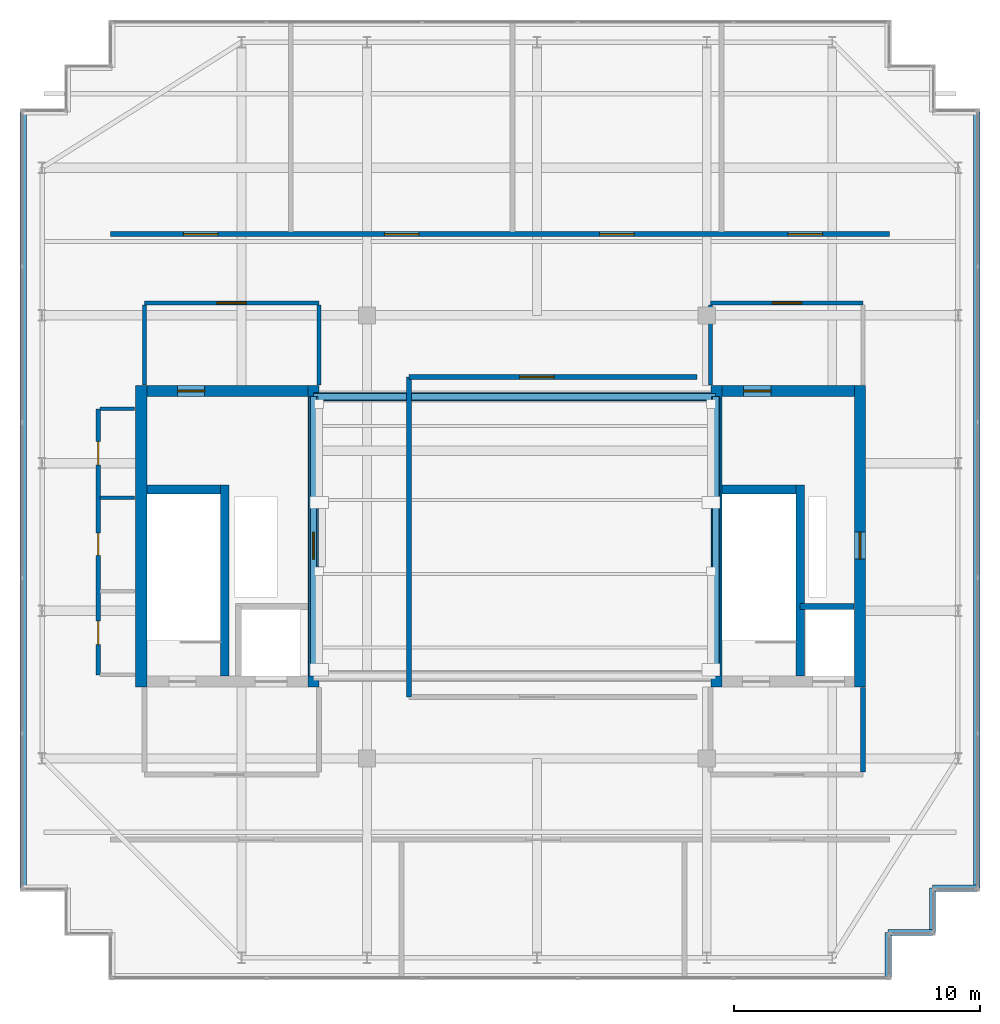
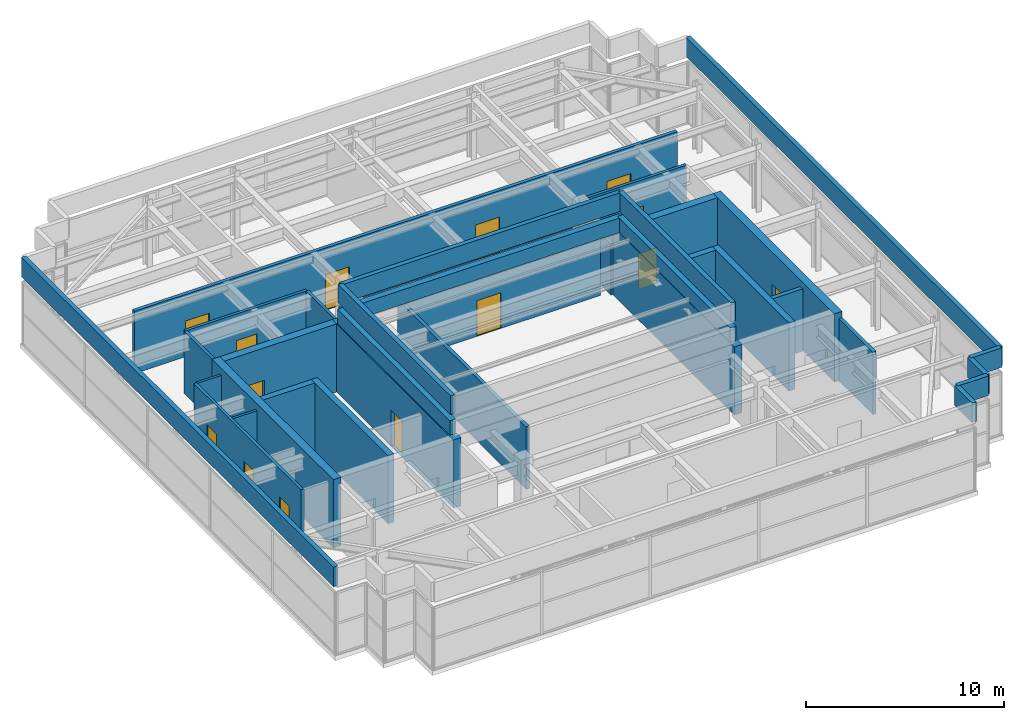
# One storey, part 31 of 33: 35 walls, 14 doors, 14 openings.
"""IFC4 building model written with IfcOpenShell, lengths in metres."""

from ifc_helpers import new_model, si_unit, direction, frame, frame_2d, origin, place, context, subcontext, project, spatial, rectangle, extrude, source, transform, mapped, material, layer, layer_set, type_object, element, fill, save


model = new_model("IFC4")

# Units and contexts
model_context = context("Model", 3, precision=1e-05, world=origin(), true_north=direction((0.0, 1.0)))
body_context = subcontext(model_context, "Body", "Model", "MODEL_VIEW")
ifc_project = project(units=[si_unit("LENGTHUNIT", "METRE"), si_unit("AREAUNIT", "SQUARE_METRE"), si_unit("VOLUMEUNIT", "CUBIC_METRE"), si_unit("PLANEANGLEUNIT", "RADIAN"), si_unit("MASSUNIT", "GRAM", prefix="KILO")], contexts=[model_context])

# Site, building, storey
site_placement = place(None, origin())
site = spatial("IfcSite", under=ifc_project, at=site_placement, CompositionType="ELEMENT")
building_placement = place(site_placement, origin())
building = spatial("IfcBuilding", under=site, at=building_placement, Name="Khoralis Quay Care Tower", CompositionType="ELEMENT")
storey_placement = place(building_placement, frame((0.0, 0.0, 314.699951171875)))
storey = spatial("IfcBuildingStorey", under=building, at=storey_placement, Name="L82", CompositionType="ELEMENT", Elevation=314.699951171875)

# Wall
ifc_material_1 = material(Name="Gypsum plasterboard on acoustic metal stud")
ifc_layer_1 = layer(ifc_material_1, 0.199951171875)
ifc_layer_set_1 = layer_set([ifc_layer_1], Name="Gypsum plasterboard on acoustic metal stud")
wall_type_1 = type_object("IfcWallType", Name="WL-COMP-200", PredefinedType="PARTITIONING", material=ifc_layer_set_1)
wall_1_placement = place(storey_placement, frame((37.25, 11.445068359375, 0.0), z_axis=(0.0, 0.0, 1.0), x_axis=(0.0, 1.0, 0.0)))
element("IfcWall", 1, at=wall_1_placement, inside=storey, type_object=wall_type_1, Name="L82 East Firefighting Lobby East Wall", PredefinedType="PARTITIONING", context=body_context, shape_type="SweptSolid", body=[
    extrude(rectangle(XDim=3.434814453125, YDim=0.199951171875, at=frame_2d((1.71728515625, 0.0))), origin(), (0.0, 0.0, 1.0), 3.840087890625),
])

# Wall, openings, doors
wall_2_placement = place(storey_placement, frame((6.679931640625, 33.300048828125, 0.0), z_axis=(0.0, 0.0, 1.0), x_axis=(1.0, 0.0, 0.0)))
wall_2 = element("IfcWall", 2, at=wall_2_placement, inside=storey, type_object=wall_type_1, Name="L82 Plant Corridor North Wall", PredefinedType="PARTITIONING", context=body_context, shape_type="SweptSolid", body=[
    extrude(rectangle(XDim=31.64013671875, YDim=0.199951171875, at=frame_2d((15.820068359375, 0.0))), origin(), (0.0, 0.0, 1.0), 3.840087890625),
])
opening_1_placement = place(wall_2_placement, frame((2.9599609375, 0.0, 0.0)))
opening_1 = element("IfcOpeningElement", 3, at=opening_1_placement, cuts=wall_2, Name="Opening PD1", PredefinedType="OPENING", context=body_context, shape_type="SweptSolid", body=[
    extrude(rectangle(XDim=1.39990234375, YDim=2.199951171875, at=frame_2d((0.699951171875, 1.10009765625))), frame((0.0, 0.10986328125, 0.0), z_axis=(0.0, -1.0, 0.0), x_axis=(1.0, 0.0, 0.0)), (0.0, 0.0, 1.0), 0.219970703125),
])
opening_2_placement = place(wall_2_placement, frame((11.1201171875, 0.0, 0.0)))
opening_2 = element("IfcOpeningElement", 4, at=opening_2_placement, cuts=wall_2, Name="Opening PD1", PredefinedType="OPENING", context=body_context, shape_type="SweptSolid", body=[
    extrude(rectangle(XDim=1.39990234375, YDim=2.199951171875, at=frame_2d((0.699951171875, 1.10009765625))), frame((0.0, 0.10986328125, 0.0), z_axis=(0.0, -1.0, 0.0), x_axis=(1.0, 0.0, 0.0)), (0.0, 0.0, 1.0), 0.219970703125),
])
opening_3_placement = place(wall_2_placement, frame((19.8701171875, 0.0, 0.0)))
opening_3 = element("IfcOpeningElement", 5, at=opening_3_placement, cuts=wall_2, Name="Opening PD1", PredefinedType="OPENING", context=body_context, shape_type="SweptSolid", body=[
    extrude(rectangle(XDim=1.39990234375, YDim=2.199951171875, at=frame_2d((0.699951171875, 1.10009765625))), frame((0.0, 0.10986328125, 0.0), z_axis=(0.0, -1.0, 0.0), x_axis=(1.0, 0.0, 0.0)), (0.0, 0.0, 1.0), 0.219970703125),
])
opening_4_placement = place(wall_2_placement, frame((27.530029296875, 0.0, 0.0)))
opening_4 = element("IfcOpeningElement", 6, at=opening_4_placement, cuts=wall_2, Name="Opening PD1", PredefinedType="OPENING", context=body_context, shape_type="SweptSolid", body=[
    extrude(rectangle(XDim=1.39990234375, YDim=2.199951171875, at=frame_2d((0.699951171875, 1.10009765625))), frame((0.0, 0.10986328125, 0.0), z_axis=(0.0, -1.0, 0.0), x_axis=(1.0, 0.0, 0.0)), (0.0, 0.0, 1.0), 0.219970703125),
])
ifc_material_2 = material(Name="Fire-rated painted steel", Category="steel")
door_type_1 = type_object("IfcDoorType", Name="DR-PLANT-1400X2200", OperationType="NOTDEFINED", PredefinedType="DOOR", material=ifc_material_2)
shared_shape_1 = source(origin(), body_context, "Body", "SweptSolid", [
    extrude(rectangle(XDim=1.39990234375, YDim=2.199951171875, at=frame_2d((0.699951171875, 1.10009765625))), frame((0.0, 0.02490234375, 0.0), z_axis=(0.0, -1.0, 0.0), x_axis=(1.0, 0.0, 0.0)), (0.0, 0.0, 1.0), 0.050048828125),
])
door_1_placement = place(opening_1_placement, origin())
door_1 = element("IfcDoor", 7, at=door_1_placement, inside=storey, type_object=door_type_1, Name="L82 Condenser Water Pump Room Plant Door", OperationType="DOUBLE_DOOR_SINGLE_SWING", OverallHeight=2.199951171875, OverallWidth=1.39990234375, PredefinedType="DOOR", context=body_context, shape_type="MappedRepresentation", body=[
    mapped(shared_shape_1, transform((0.0, 0.0, 0.0), scale=1.0)),
])
fill(opening_1, door_1)
door_2_placement = place(opening_2_placement, origin())
door_2 = element("IfcDoor", 8, at=door_2_placement, inside=storey, type_object=door_type_1, Name="L82 Pressurization Fan Plant Plant Door", OperationType="DOUBLE_DOOR_SINGLE_SWING", OverallHeight=2.199951171875, OverallWidth=1.39990234375, PredefinedType="DOOR", context=body_context, shape_type="MappedRepresentation", body=[
    mapped(shared_shape_1, transform((0.0, 0.0, 0.0), scale=1.0)),
])
fill(opening_2, door_2)
door_3_placement = place(opening_3_placement, origin())
door_3 = element("IfcDoor", 9, at=door_3_placement, inside=storey, type_object=door_type_1, Name="L82 Plumbing Booster Plant Plant Door", OperationType="DOUBLE_DOOR_SINGLE_SWING", OverallHeight=2.199951171875, OverallWidth=1.39990234375, PredefinedType="DOOR", context=body_context, shape_type="MappedRepresentation", body=[
    mapped(shared_shape_1, transform((0.0, 0.0, 0.0), scale=1.0)),
])
fill(opening_3, door_3)
door_4_placement = place(opening_4_placement, origin())
door_4 = element("IfcDoor", 10, at=door_4_placement, inside=storey, type_object=door_type_1, Name="L82 Lantern Facade Access Plant Plant Door", OperationType="DOUBLE_DOOR_SINGLE_SWING", OverallHeight=2.199951171875, OverallWidth=1.39990234375, PredefinedType="DOOR", context=body_context, shape_type="MappedRepresentation", body=[
    mapped(shared_shape_1, transform((0.0, 0.0, 0.0), scale=1.0)),
])
fill(opening_4, door_4)

# Wall, opening, door
wall_3_placement = place(storey_placement, frame((18.800048828125, 27.5, 0.0), z_axis=(0.0, 0.0, 1.0), x_axis=(1.0, 0.0, 0.0)))
wall_3 = element("IfcWall", 11, at=wall_3_placement, inside=storey, type_object=wall_type_1, Name="L82 Central Plant North Wall", PredefinedType="PARTITIONING", context=body_context, shape_type="SweptSolid", body=[
    extrude(rectangle(XDim=11.699951171875, YDim=0.199951171875, at=frame_2d((5.85009765625, 0.0))), origin(), (0.0, 0.0, 1.0), 3.840087890625),
])
opening_5_placement = place(wall_3_placement, frame((4.5, 0.0, 0.0)))
opening_5 = element("IfcOpeningElement", 12, at=opening_5_placement, cuts=wall_3, Name="Opening PD1", PredefinedType="OPENING", context=body_context, shape_type="SweptSolid", body=[
    extrude(rectangle(XDim=1.39990234375, YDim=2.199951171875, at=frame_2d((0.699951171875, 1.10009765625))), frame((0.0, 0.10986328125, 0.0), z_axis=(0.0, -1.0, 0.0), x_axis=(1.0, 0.0, 0.0)), (0.0, 0.0, 1.0), 0.219970703125),
])
door_5_placement = place(opening_5_placement, frame((1.39990234375, 0.0, 0.0), z_axis=(0.0, 0.0, 1.0), x_axis=(-1.0, 0.0, 0.0)))
door_5 = element("IfcDoor", 13, at=door_5_placement, inside=storey, type_object=door_type_1, Name="L82 Central Plant North Door", OperationType="DOUBLE_DOOR_SINGLE_SWING", OverallHeight=2.199951171875, OverallWidth=1.39990234375, PredefinedType="DOOR", context=body_context, shape_type="MappedRepresentation", body=[
    mapped(shared_shape_1, transform((0.0, 0.0, 0.0), scale=1.0)),
])
fill(opening_5, door_5)

# Walls
wall_4_placement = place(storey_placement, frame((18.800048828125, 14.5, 0.0), z_axis=(0.0, 0.0, 1.0), x_axis=(0.0, 1.0, 0.0)))
element("IfcWall", 14, at=wall_4_placement, inside=storey, type_object=wall_type_1, Name="L82 Central Plant West Corridor Wall", PredefinedType="PARTITIONING", context=body_context, shape_type="SweptSolid", body=[
    extrude(rectangle(XDim=13.0, YDim=0.199951171875, at=frame_2d((6.5, 0.0))), origin(), (0.0, 0.0, 1.0), 3.840087890625),
])
ifc_material_3 = material(Name="Concrete C50/60", Category="concrete")
ifc_layer_2 = layer(ifc_material_3, 0.449951171875)
ifc_layer_set_2 = layer_set([ifc_layer_2], Name="Concrete C50/60")
wall_type_2 = type_object("IfcWallType", Name="WL-CORE-450", PredefinedType="SHEAR", material=ifc_layer_set_2)
wall_5_placement = place(storey_placement, frame((7.925048828125, 14.89990234375, 0.0), z_axis=(0.0, 0.0, 1.0), x_axis=(0.0, 1.0, 0.0)))
element("IfcWall", 15, at=wall_5_placement, inside=storey, type_object=wall_type_2, Name="L82 WCORE West Shear Wall", PredefinedType="SHEAR", context=body_context, shape_type="SweptSolid", body=[
    extrude(rectangle(XDim=12.25, YDim=0.449951171875, at=frame_2d((6.125, 0.0))), origin(), (0.0, 0.0, 1.0), 4.199951171875),
])

# Wall, opening, door
wall_6_placement = place(storey_placement, frame((14.925048828125, 14.89990234375, 0.0), z_axis=(0.0, 0.0, 1.0), x_axis=(0.0, 1.0, 0.0)))
wall_6 = element("IfcWall", 16, at=wall_6_placement, inside=storey, type_object=wall_type_2, Name="L82 WCORE East Shear Wall", PredefinedType="SHEAR", context=body_context, shape_type="SweptSolid", body=[
    extrude(rectangle(XDim=12.25, YDim=0.449951171875, at=frame_2d((6.125, 0.0))), origin(), (0.0, 0.0, 1.0), 4.199951171875),
])
opening_6_placement = place(wall_6_placement, frame((5.199951171875, 0.0, 0.0)))
opening_6 = element("IfcOpeningElement", 17, at=opening_6_placement, cuts=wall_6, Name="Opening SD1", PredefinedType="OPENING", context=body_context, shape_type="SweptSolid", body=[
    extrude(rectangle(XDim=1.10009765625, YDim=2.199951171875, at=frame_2d((0.550048828125, 1.10009765625))), frame((0.0, 0.23486328125, 0.0), z_axis=(0.0, -1.0, 0.0), x_axis=(1.0, 0.0, 0.0)), (0.0, 0.0, 1.0), 0.469970703125),
])
door_type_2 = type_object("IfcDoorType", Name="DR-STAIR-1100X2200", OperationType="NOTDEFINED", PredefinedType="DOOR", material=ifc_material_2)
shared_shape_2 = source(origin(), body_context, "Body", "SweptSolid", [
    extrude(rectangle(XDim=1.10009765625, YDim=2.199951171875, at=frame_2d((0.550048828125, 1.10009765625))), frame((0.0, 0.02490234375, 0.0), z_axis=(0.0, -1.0, 0.0), x_axis=(1.0, 0.0, 0.0)), (0.0, 0.0, 1.0), 0.050048828125),
])
door_6_placement = place(opening_6_placement, origin())
door_6 = element("IfcDoor", 18, at=door_6_placement, inside=storey, type_object=door_type_2, Name="L82 West MEP Riser Door", OperationType="SINGLE_SWING_RIGHT", OverallHeight=2.199951171875, OverallWidth=1.10009765625, PredefinedType="DOOR", context=body_context, shape_type="MappedRepresentation", body=[
    mapped(shared_shape_2, transform((0.0, 0.0, 0.0), scale=1.0)),
])
fill(opening_6, door_6)

wall_7_placement = place(storey_placement, frame((8.14990234375, 26.925048828125, 0.0), z_axis=(0.0, 0.0, 1.0), x_axis=(1.0, 0.0, 0.0)))
wall_7 = element("IfcWall", 19, at=wall_7_placement, inside=storey, type_object=wall_type_2, Name="L82 WCORE North Shear Wall", PredefinedType="SHEAR", context=body_context, shape_type="SweptSolid", body=[
    extrude(rectangle(XDim=6.550048828125, YDim=0.449951171875, at=frame_2d((3.27490234375, 0.0))), origin(), (0.0, 0.0, 1.0), 4.199951171875),
])
opening_7_placement = place(wall_7_placement, frame((1.25, 0.0, 0.0)))
opening_7 = element("IfcOpeningElement", 20, at=opening_7_placement, cuts=wall_7, Name="Opening SD1", PredefinedType="OPENING", context=body_context, shape_type="SweptSolid", body=[
    extrude(rectangle(XDim=1.10009765625, YDim=2.199951171875, at=frame_2d((0.550048828125, 1.10009765625))), frame((0.0, 0.23486328125, 0.0), z_axis=(0.0, -1.0, 0.0), x_axis=(1.0, 0.0, 0.0)), (0.0, 0.0, 1.0), 0.469970703125),
])
door_7_placement = place(opening_7_placement, frame((1.10009765625, 0.0, 0.0), z_axis=(0.0, 0.0, 1.0), x_axis=(-1.0, 0.0, 0.0)))
door_7 = element("IfcDoor", 21, at=door_7_placement, inside=storey, type_object=door_type_2, Name="L82 West Machine Room Door", OperationType="SINGLE_SWING_RIGHT", OverallHeight=2.199951171875, OverallWidth=1.10009765625, PredefinedType="DOOR", context=body_context, shape_type="MappedRepresentation", body=[
    mapped(shared_shape_2, transform((0.0, 0.0, 0.0), scale=1.0)),
])
fill(opening_7, door_7)

# Wall
wall_8_placement = place(storey_placement, frame((31.294921875, 14.89990234375, 0.0), z_axis=(0.0, 0.0, 1.0), x_axis=(0.0, 1.0, 0.0)))
element("IfcWall", 22, at=wall_8_placement, inside=storey, type_object=wall_type_2, Name="L82 ECORE West Shear Wall", PredefinedType="SHEAR", context=body_context, shape_type="SweptSolid", body=[
    extrude(rectangle(XDim=12.25, YDim=0.449951171875, at=frame_2d((6.125, 0.0))), origin(), (0.0, 0.0, 1.0), 4.199951171875),
])

# Wall, opening, door
wall_9_placement = place(storey_placement, frame((37.125, 14.89990234375, 0.0), z_axis=(0.0, 0.0, 1.0), x_axis=(0.0, 1.0, 0.0)))
wall_9 = element("IfcWall", 23, at=wall_9_placement, inside=storey, type_object=wall_type_2, Name="L82 ECORE East Shear Wall", PredefinedType="SHEAR", context=body_context, shape_type="SweptSolid", body=[
    extrude(rectangle(XDim=12.25, YDim=0.449951171875, at=frame_2d((6.125, 0.0))), origin(), (0.0, 0.0, 1.0), 4.199951171875),
])
opening_8_placement = place(wall_9_placement, frame((5.199951171875, 0.0, 0.0)))
opening_8 = element("IfcOpeningElement", 24, at=opening_8_placement, cuts=wall_9, Name="Opening SD1", PredefinedType="OPENING", context=body_context, shape_type="SweptSolid", body=[
    extrude(rectangle(XDim=1.10009765625, YDim=2.199951171875, at=frame_2d((0.550048828125, 1.10009765625))), frame((0.0, 0.23486328125, 0.0), z_axis=(0.0, -1.0, 0.0), x_axis=(1.0, 0.0, 0.0)), (0.0, 0.0, 1.0), 0.469970703125),
])
door_8_placement = place(opening_8_placement, frame((1.10009765625, 0.0, 0.0), z_axis=(0.0, 0.0, 1.0), x_axis=(-1.0, 0.0, 0.0)))
door_8 = element("IfcDoor", 25, at=door_8_placement, inside=storey, type_object=door_type_2, Name="L82 East MEP Riser Door", OperationType="SINGLE_SWING_LEFT", OverallHeight=2.199951171875, OverallWidth=1.10009765625, PredefinedType="DOOR", context=body_context, shape_type="MappedRepresentation", body=[
    mapped(shared_shape_2, transform((0.0, 0.0, 0.0), scale=1.0)),
])
fill(opening_8, door_8)

wall_10_placement = place(storey_placement, frame((31.52001953125, 26.925048828125, 0.0), z_axis=(0.0, 0.0, 1.0), x_axis=(1.0, 0.0, 0.0)))
wall_10 = element("IfcWall", 26, at=wall_10_placement, inside=storey, type_object=wall_type_2, Name="L82 ECORE North Shear Wall", PredefinedType="SHEAR", context=body_context, shape_type="SweptSolid", body=[
    extrude(rectangle(XDim=5.3798828125, YDim=0.449951171875, at=frame_2d((2.68994140625, 0.0))), origin(), (0.0, 0.0, 1.0), 4.199951171875),
])
opening_9_placement = place(wall_10_placement, frame((0.8798828125, 0.0, 0.0)))
opening_9 = element("IfcOpeningElement", 27, at=opening_9_placement, cuts=wall_10, Name="Opening SD1", PredefinedType="OPENING", context=body_context, shape_type="SweptSolid", body=[
    extrude(rectangle(XDim=1.10009765625, YDim=2.199951171875, at=frame_2d((0.550048828125, 1.10009765625))), frame((0.0, 0.23486328125, 0.0), z_axis=(0.0, -1.0, 0.0), x_axis=(1.0, 0.0, 0.0)), (0.0, 0.0, 1.0), 0.469970703125),
])
door_9_placement = place(opening_9_placement, frame((1.10009765625, 0.0, 0.0), z_axis=(0.0, 0.0, 1.0), x_axis=(-1.0, 0.0, 0.0)))
door_9 = element("IfcDoor", 28, at=door_9_placement, inside=storey, type_object=door_type_2, Name="L82 East Machine Room Door", OperationType="SINGLE_SWING_LEFT", OverallHeight=2.199951171875, OverallWidth=1.10009765625, PredefinedType="DOOR", context=body_context, shape_type="MappedRepresentation", body=[
    mapped(shared_shape_2, transform((0.0, 0.0, 0.0), scale=1.0)),
])
fill(opening_9, door_9)

ifc_layer_3 = layer(ifc_material_1, 0.1650390625)
ifc_layer_set_3 = layer_set([ifc_layer_3], Name="Gypsum plasterboard on acoustic metal stud")
wall_type_3 = type_object("IfcWallType", Name="WL-CORR-165", PredefinedType="PARTITIONING", material=ifc_layer_set_3)
wall_11_placement = place(storey_placement, frame((8.050048828125, 30.5, 0.0), z_axis=(0.0, 0.0, 1.0), x_axis=(1.0, 0.0, 0.0)))
wall_11 = element("IfcWall", 29, at=wall_11_placement, inside=storey, type_object=wall_type_3, Name="L82 West Lift Lobby North Wall", PredefinedType="PARTITIONING", context=body_context, shape_type="SweptSolid", body=[
    extrude(rectangle(XDim=7.099853515625, YDim=0.1650390625, at=frame_2d((3.5498046875, 0.0))), origin(), (0.0, 0.0, 1.0), 3.840087890625),
])
opening_10_placement = place(wall_11_placement, frame((2.949951171875, 0.0, 0.0)))
opening_10 = element("IfcOpeningElement", 30, at=opening_10_placement, cuts=wall_11, Name="Opening FD1", PredefinedType="OPENING", context=body_context, shape_type="SweptSolid", body=[
    extrude(rectangle(XDim=1.199951171875, YDim=2.199951171875, at=frame_2d((0.60009765625, 1.10009765625))), frame((0.0, 0.092529296875, 0.0), z_axis=(0.0, -1.0, 0.0), x_axis=(1.0, 0.0, 0.0)), (0.0, 0.0, 1.0), 0.18505859375),
])
door_type_3 = type_object("IfcDoorType", Name="DR-FFL-1200X2200", OperationType="NOTDEFINED", PredefinedType="DOOR", material=ifc_material_2)
shared_shape_3 = source(origin(), body_context, "Body", "SweptSolid", [
    extrude(rectangle(XDim=1.199951171875, YDim=2.199951171875, at=frame_2d((0.60009765625, 1.10009765625))), frame((0.0, 0.02490234375, 0.0), z_axis=(0.0, -1.0, 0.0), x_axis=(1.0, 0.0, 0.0)), (0.0, 0.0, 1.0), 0.050048828125),
])
door_10_placement = place(opening_10_placement, origin())
door_10 = element("IfcDoor", 31, at=door_10_placement, inside=storey, type_object=door_type_3, Name="L82 West Lift Lobby Double Door", OperationType="DOUBLE_DOOR_SINGLE_SWING", OverallHeight=2.199951171875, OverallWidth=1.199951171875, PredefinedType="DOOR", context=body_context, shape_type="MappedRepresentation", body=[
    mapped(shared_shape_3, transform((0.0, 0.0, 0.0), scale=1.0)),
])
fill(opening_10, door_10)

# Walls
for number, where, z_axis, x_axis, name in (
    (32, (8.050048828125, 27.169921875, 0.0), (0.0, 0.0, 1.0), (0.0, 1.0, 0.0), "L82 West Lift Lobby West Wall"),
    (33, (15.14990234375, 27.169921875, 0.0), (0.0, 0.0, 1.0), (0.0, 1.0, 0.0), "L82 West Lift Lobby East Wall"),
):
    element("IfcWall", number, at=place(storey_placement, frame(where, z_axis=z_axis, x_axis=x_axis)), inside=storey, type_object=wall_type_3, Name=name, PredefinedType="PARTITIONING", context=body_context, shape_type="SweptSolid", body=[
        extrude(rectangle(XDim=3.252685546875, YDim=0.1650390625, at=frame_2d((1.62646484375, 0.0))), origin(), (0.0, 0.0, 1.0), 3.840087890625),
    ])

# Wall, opening, door
wall_12_placement = place(storey_placement, frame((31.050048828125, 30.5, 0.0), z_axis=(0.0, 0.0, 1.0), x_axis=(1.0, 0.0, 0.0)))
wall_12 = element("IfcWall", 34, at=wall_12_placement, inside=storey, type_object=wall_type_3, Name="L82 East Lift Lobby North Wall", PredefinedType="PARTITIONING", context=body_context, shape_type="SweptSolid", body=[
    extrude(rectangle(XDim=6.199951171875, YDim=0.1650390625, at=frame_2d((3.10009765625, 0.0))), origin(), (0.0, 0.0, 1.0), 3.840087890625),
])
opening_11_placement = place(wall_12_placement, frame((2.5, 0.0, 0.0)))
opening_11 = element("IfcOpeningElement", 35, at=opening_11_placement, cuts=wall_12, Name="Opening FD1", PredefinedType="OPENING", context=body_context, shape_type="SweptSolid", body=[
    extrude(rectangle(XDim=1.199951171875, YDim=2.199951171875, at=frame_2d((0.60009765625, 1.10009765625))), frame((0.0, 0.092529296875, 0.0), z_axis=(0.0, -1.0, 0.0), x_axis=(1.0, 0.0, 0.0)), (0.0, 0.0, 1.0), 0.18505859375),
])
door_11_placement = place(opening_11_placement, origin())
door_11 = element("IfcDoor", 36, at=door_11_placement, inside=storey, type_object=door_type_3, Name="L82 East Lift Lobby Double Door", OperationType="DOUBLE_DOOR_SINGLE_SWING", OverallHeight=2.199951171875, OverallWidth=1.199951171875, PredefinedType="DOOR", context=body_context, shape_type="MappedRepresentation", body=[
    mapped(shared_shape_3, transform((0.0, 0.0, 0.0), scale=1.0)),
])
fill(opening_11, door_11)

# Wall
wall_13_placement = place(storey_placement, frame((31.050048828125, 27.169921875, 0.0), z_axis=(0.0, 0.0, 1.0), x_axis=(0.0, 1.0, 0.0)))
element("IfcWall", 37, at=wall_13_placement, inside=storey, type_object=wall_type_3, Name="L82 East Lift Lobby West Wall", PredefinedType="PARTITIONING", context=body_context, shape_type="SweptSolid", body=[
    extrude(rectangle(XDim=3.252685546875, YDim=0.1650390625, at=frame_2d((1.62646484375, 0.0))), origin(), (0.0, 0.0, 1.0), 3.14501953125),
])

# Wall, openings, doors
wall_14_placement = place(storey_placement, frame((6.179931640625, 15.39990234375, 0.0), z_axis=(0.0, 0.0, 1.0), x_axis=(0.0, 1.0, 0.0)))
wall_14 = element("IfcWall", 38, at=wall_14_placement, inside=storey, type_object=wall_type_3, Name="L82 West Core Service Flank Wall", PredefinedType="PARTITIONING", context=body_context, shape_type="SweptSolid", body=[
    extrude(rectangle(XDim=10.800048828125, YDim=0.1650390625, at=frame_2d((5.39990234375, 0.0))), origin(), (0.0, 0.0, 1.0), 3.840087890625),
])
opening_12_placement = place(wall_14_placement, frame((1.22509765625, 0.0, 0.0)))
opening_12 = element("IfcOpeningElement", 39, at=opening_12_placement, cuts=wall_14, Name="Opening ID1", PredefinedType="OPENING", context=body_context, shape_type="SweptSolid", body=[
    extrude(rectangle(XDim=0.949951171875, YDim=2.10009765625, at=frame_2d((0.47509765625, 1.050048828125))), frame((0.0, 0.092529296875, 0.0), z_axis=(0.0, -1.0, 0.0), x_axis=(1.0, 0.0, 0.0)), (0.0, 0.0, 1.0), 0.18505859375),
])
opening_13_placement = place(wall_14_placement, frame((4.85009765625, 0.0, 0.0)))
opening_13 = element("IfcOpeningElement", 40, at=opening_13_placement, cuts=wall_14, Name="Opening WD1", PredefinedType="OPENING", context=body_context, shape_type="SweptSolid", body=[
    extrude(rectangle(XDim=0.89990234375, YDim=2.10009765625, at=frame_2d((0.449951171875, 1.050048828125))), frame((0.0, 0.092529296875, 0.0), z_axis=(0.0, -1.0, 0.0), x_axis=(1.0, 0.0, 0.0)), (0.0, 0.0, 1.0), 0.18505859375),
])
opening_14_placement = place(wall_14_placement, frame((8.52490234375, 0.0, 0.0)))
opening_14 = element("IfcOpeningElement", 41, at=opening_14_placement, cuts=wall_14, Name="Opening ID1", PredefinedType="OPENING", context=body_context, shape_type="SweptSolid", body=[
    extrude(rectangle(XDim=0.949951171875, YDim=2.10009765625, at=frame_2d((0.47509765625, 1.050048828125))), frame((0.0, 0.092529296875, 0.0), z_axis=(0.0, -1.0, 0.0), x_axis=(1.0, 0.0, 0.0)), (0.0, 0.0, 1.0), 0.18505859375),
])
ifc_material_4 = material(Name="Acoustic hardwood timber", Category="wood")
door_type_4 = type_object("IfcDoorType", Name="DR-BATH-900X2100", OperationType="NOTDEFINED", PredefinedType="DOOR", material=ifc_material_4)
shared_shape_4 = source(origin(), body_context, "Body", "SweptSolid", [
    extrude(rectangle(XDim=0.89990234375, YDim=2.10009765625, at=frame_2d((0.449951171875, 1.050048828125))), frame((0.0, 0.02490234375, 0.0), z_axis=(0.0, -1.0, 0.0), x_axis=(1.0, 0.0, 0.0)), (0.0, 0.0, 1.0), 0.050048828125),
])
door_12_placement = place(opening_13_placement, frame((0.89990234375, 0.0, 0.0), z_axis=(0.0, 0.0, 1.0), x_axis=(-1.0, 0.0, 0.0)))
door_12 = element("IfcDoor", 42, at=door_12_placement, inside=storey, type_object=door_type_4, Name="L82 Public Accessible WC Door", OperationType="SINGLE_SWING_RIGHT", OverallHeight=2.10009765625, OverallWidth=0.89990234375, PredefinedType="DOOR", context=body_context, shape_type="MappedRepresentation", body=[
    mapped(shared_shape_4, transform((0.0, 0.0, 0.0), scale=1.0)),
])
fill(opening_13, door_12)
door_type_5 = type_object("IfcDoorType", Name="DR-ROOM-950X2100", OperationType="NOTDEFINED", PredefinedType="DOOR", material=ifc_material_4)
shared_shape_5 = source(origin(), body_context, "Body", "SweptSolid", [
    extrude(rectangle(XDim=0.949951171875, YDim=2.10009765625, at=frame_2d((0.47509765625, 1.050048828125))), frame((0.0, 0.02490234375, 0.0), z_axis=(0.0, -1.0, 0.0), x_axis=(1.0, 0.0, 0.0)), (0.0, 0.0, 1.0), 0.050048828125),
])
door_13_placement = place(opening_12_placement, frame((0.949951171875, 0.0, 0.0), z_axis=(0.0, 0.0, 1.0), x_axis=(-1.0, 0.0, 0.0)))
door_13 = element("IfcDoor", 43, at=door_13_placement, inside=storey, type_object=door_type_5, Name="L82 Clean Utility Store Door", OperationType="SINGLE_SWING_LEFT", OverallHeight=2.10009765625, OverallWidth=0.949951171875, PredefinedType="DOOR", context=body_context, shape_type="MappedRepresentation", body=[
    mapped(shared_shape_5, transform((0.0, 0.0, 0.0), scale=1.0)),
])
fill(opening_12, door_13)
door_14_placement = place(opening_14_placement, frame((0.949951171875, 0.0, 0.0), z_axis=(0.0, 0.0, 1.0), x_axis=(-1.0, 0.0, 0.0)))
door_14 = element("IfcDoor", 44, at=door_14_placement, inside=storey, type_object=door_type_5, Name="L82 Electrical Switchboard Room Door", OperationType="SINGLE_SWING_LEFT", OverallHeight=2.10009765625, OverallWidth=0.949951171875, PredefinedType="DOOR", context=body_context, shape_type="MappedRepresentation", body=[
    mapped(shared_shape_5, transform((0.0, 0.0, 0.0), scale=1.0)),
])
fill(opening_14, door_14)

# Walls
ifc_material_5 = material(Name="Precast concrete C40/50", Category="concrete")
ifc_layer_4 = layer(ifc_material_5, 0.260009765625)
ifc_layer_set_4 = layer_set([ifc_layer_4], Name="Precast concrete C40/50")
wall_type_4 = type_object("IfcWallType", Name="WL-PARAPET-260", PredefinedType="PARAPET", material=ifc_layer_set_4)
for number, where, z_axis, x_axis, name in (
    (45, (38.27001953125, 3.1298828125, 4.199951171875), (0.0, 0.0, 1.0), (0.0, 1.0, 0.0), "Tower Roof Maintenance Parapet 02"),
    (46, (38.27001953125, 4.929931640625, 4.199951171875), (0.0, 0.0, 1.0), (1.0, 0.0, 0.0), "Tower Roof Maintenance Parapet 03"),
    (47, (40.070068359375, 4.929931640625, 4.199951171875), (0.0, 0.0, 1.0), (0.0, 1.0, 0.0), "Tower Roof Maintenance Parapet 04"),
    (48, (40.070068359375, 6.72998046875, 4.199951171875), (0.0, 0.0, 1.0), (1.0, 0.0, 0.0), "Tower Roof Maintenance Parapet 05"),
):
    element("IfcWall", number, at=place(storey_placement, frame(where, z_axis=z_axis, x_axis=x_axis)), inside=storey, type_object=wall_type_4, Name=name, PredefinedType="PARAPET", context=body_context, shape_type="SweptSolid", body=[
        extrude(rectangle(XDim=1.800048828125, YDim=0.260009765625, at=frame_2d((0.89990234375, 0.0))), origin(), (0.0, 0.0, 1.0), 1.2001953125),
    ])
for number, where, z_axis, x_axis, name in (
    (49, (41.8701171875, 6.72998046875, 4.199951171875), (0.0, 0.0, 1.0), (0.0, 1.0, 0.0), "Tower Roof Maintenance Parapet 06"),
    (50, (3.1298828125, 38.27001953125, 4.199951171875), (0.0, 0.0, 1.0), (0.0, -1.0, 0.0), "Tower Roof Maintenance Parapet 16"),
):
    element("IfcWall", number, at=place(storey_placement, frame(where, z_axis=z_axis, x_axis=x_axis)), inside=storey, type_object=wall_type_4, Name=name, PredefinedType="PARAPET", context=body_context, shape_type="SweptSolid", body=[
        extrude(rectangle(XDim=31.5400390625, YDim=0.260009765625, at=frame_2d((15.77001953125, 0.0))), origin(), (0.0, 0.0, 1.0), 1.2001953125),
    ])
wall_15_placement = place(storey_placement, frame((31.264892578125, 15.35009765625, 5.449951171875), z_axis=(0.0, 0.0, 1.0), x_axis=(0.0, 1.0, 0.0)))
element("IfcWall", 51, at=wall_15_placement, inside=storey, type_object=wall_type_4, Name="Lantern Cupola Crown Parapet 2", PredefinedType="PARAPET", context=body_context, shape_type="SweptSolid", body=[
    extrude(rectangle(XDim=11.349853515625, YDim=0.260009765625, at=frame_2d((5.6748046875, 0.0))), origin(), (0.0, 0.0, 1.0), 1.150146484375),
])
wall_16_placement = place(storey_placement, frame((31.264892578125, 26.699951171875, 5.449951171875), z_axis=(0.0, 0.0, 1.0), x_axis=(-1.0, 0.0, 0.0)))
element("IfcWall", 52, at=wall_16_placement, inside=storey, type_object=wall_type_4, Name="Lantern Cupola Crown Parapet 3", PredefinedType="PARAPET", context=body_context, shape_type="SweptSolid", body=[
    extrude(rectangle(XDim=16.33984375, YDim=0.260009765625, at=frame_2d((8.169921875, 0.0))), origin(), (0.0, 0.0, 1.0), 1.150146484375),
])
wall_17_placement = place(storey_placement, frame((14.925048828125, 26.699951171875, 5.449951171875), z_axis=(0.0, 0.0, 1.0), x_axis=(0.0, -1.0, 0.0)))
element("IfcWall", 53, at=wall_17_placement, inside=storey, type_object=wall_type_4, Name="Lantern Cupola Crown Parapet 4", PredefinedType="PARAPET", context=body_context, shape_type="SweptSolid", body=[
    extrude(rectangle(XDim=11.349853515625, YDim=0.260009765625, at=frame_2d((5.6748046875, 0.0))), origin(), (0.0, 0.0, 1.0), 1.150146484375),
])
ifc_material_6 = material(Name="Concrete C40/50", Category="concrete")
ifc_layer_5 = layer(ifc_material_6, 0.35009765625)
ifc_layer_set_5 = layer_set([ifc_layer_5], Name="Concrete C40/50")
wall_type_5 = type_object("IfcWallType", Name="WL-SC-CORE-350", PredefinedType="SHEAR", material=ifc_layer_set_5)
wall_18_placement = place(storey_placement, frame((11.324951171875, 15.35009765625, 0.0), z_axis=(0.0, 0.0, 1.0), x_axis=(0.0, 1.0, 0.0)))
element("IfcWall", 54, at=wall_18_placement, inside=storey, type_object=wall_type_5, Name="L82 Stair ST-T1 Shear Baffle Wall East", PredefinedType="SHEAR", context=body_context, shape_type="SweptSolid", body=[
    extrude(rectangle(XDim=7.75, YDim=0.35009765625, at=frame_2d((3.875, 0.0))), origin(), (0.0, 0.0, 1.0), 4.199951171875),
])
wall_19_placement = place(storey_placement, frame((8.14990234375, 22.925048828125, 0.0), z_axis=(0.0, 0.0, 1.0), x_axis=(1.0, 0.0, 0.0)))
element("IfcWall", 55, at=wall_19_placement, inside=storey, type_object=wall_type_5, Name="L82 Stair ST-T1 Shear Baffle Wall North", PredefinedType="SHEAR", context=body_context, shape_type="SweptSolid", body=[
    extrude(rectangle(XDim=3.0, YDim=0.35009765625, at=frame_2d((1.5, 0.0))), origin(), (0.0, 0.0, 1.0), 4.199951171875),
])
wall_20_placement = place(storey_placement, frame((34.695068359375, 15.35009765625, 0.0), z_axis=(0.0, 0.0, 1.0), x_axis=(0.0, 1.0, 0.0)))
element("IfcWall", 56, at=wall_20_placement, inside=storey, type_object=wall_type_5, Name="L82 Stair ST-T2 Shear Baffle Wall East", PredefinedType="SHEAR", context=body_context, shape_type="SweptSolid", body=[
    extrude(rectangle(XDim=7.75, YDim=0.35009765625, at=frame_2d((3.875, 0.0))), origin(), (0.0, 0.0, 1.0), 4.199951171875),
])
wall_21_placement = place(storey_placement, frame((31.52001953125, 22.925048828125, 0.0), z_axis=(0.0, 0.0, 1.0), x_axis=(1.0, 0.0, 0.0)))
element("IfcWall", 57, at=wall_21_placement, inside=storey, type_object=wall_type_5, Name="L82 Stair ST-T2 Shear Baffle Wall North", PredefinedType="SHEAR", context=body_context, shape_type="SweptSolid", body=[
    extrude(rectangle(XDim=3.0, YDim=0.35009765625, at=frame_2d((1.5, 0.0))), origin(), (0.0, 0.0, 1.0), 4.199951171875),
])
wall_22_placement = place(storey_placement, frame((31.264892578125, 15.35009765625, 4.199951171875), z_axis=(0.0, 0.0, 1.0), x_axis=(0.0, 1.0, 0.0)))
element("IfcWall", 58, at=wall_22_placement, inside=storey, type_object=wall_type_5, Name="Lantern Cupola Drum Bearing Wall 2", PredefinedType="SHEAR", context=body_context, shape_type="SweptSolid", body=[
    extrude(rectangle(XDim=11.349853515625, YDim=0.35009765625, at=frame_2d((5.6748046875, 0.0))), origin(), (0.0, 0.0, 1.0), 0.89013671875),
])
wall_23_placement = place(storey_placement, frame((31.264892578125, 26.699951171875, 4.199951171875), z_axis=(0.0, 0.0, 1.0), x_axis=(-1.0, 0.0, 0.0)))
element("IfcWall", 59, at=wall_23_placement, inside=storey, type_object=wall_type_5, Name="Lantern Cupola Drum Bearing Wall 3", PredefinedType="SHEAR", context=body_context, shape_type="SweptSolid", body=[
    extrude(rectangle(XDim=16.33984375, YDim=0.35009765625, at=frame_2d((8.169921875, 0.0))), origin(), (0.0, 0.0, 1.0), 0.89013671875),
])
wall_24_placement = place(storey_placement, frame((14.925048828125, 26.699951171875, 4.199951171875), z_axis=(0.0, 0.0, 1.0), x_axis=(0.0, -1.0, 0.0)))
element("IfcWall", 60, at=wall_24_placement, inside=storey, type_object=wall_type_5, Name="Lantern Cupola Drum Bearing Wall 4", PredefinedType="SHEAR", context=body_context, shape_type="SweptSolid", body=[
    extrude(rectangle(XDim=11.349853515625, YDim=0.35009765625, at=frame_2d((5.6748046875, 0.0))), origin(), (0.0, 0.0, 1.0), 0.89013671875),
])
ifc_layer_6 = layer(ifc_material_1, 0.239990234375)
ifc_layer_set_6 = layer_set([ifc_layer_6], Name="Gypsum plasterboard on acoustic metal stud")
wall_type_6 = type_object("IfcWallType", Name="WL-SHAFT-240", PredefinedType="PARTITIONING", material=ifc_layer_set_6)
wall_25_placement = place(storey_placement, frame((34.679931640625, 18.169921875, 0.0), z_axis=(0.0, 0.0, 1.0), x_axis=(1.0, 0.0, 0.0)))
element("IfcWall", 61, at=wall_25_placement, inside=storey, type_object=wall_type_6, Name="L82 FFL-2 Shaft Wall North", PredefinedType="PARTITIONING", context=body_context, shape_type="SweptSolid", body=[
    extrude(rectangle(XDim=2.199951171875, YDim=0.239990234375, at=frame_2d((1.10009765625, 0.0))), origin(), (0.0, 0.0, 1.0), 3.840087890625),
])
ifc_layer_7 = layer(ifc_material_1, 0.139892578125)
ifc_layer_set_7 = layer_set([ifc_layer_7], Name="Gypsum plasterboard on acoustic metal stud")
wall_type_7 = type_object("IfcWallType", Name="WL-UNIT-140", PredefinedType="PARTITIONING", material=ifc_layer_set_7)
for number, where, z_axis, x_axis, name in (
    (62, (6.257568359375, 26.199951171875, 0.0), (0.0, 0.0, 1.0), (1.0, 0.0, 0.0), "L82 West Flank North Cap"),
    (63, (6.257568359375, 22.60009765625, 0.0), (0.0, 0.0, 1.0), (1.0, 0.0, 0.0), "L82 West Flank Divider 2"),
):
    element("IfcWall", number, at=place(storey_placement, frame(where, z_axis=z_axis, x_axis=x_axis)), inside=storey, type_object=wall_type_7, Name=name, PredefinedType="PARTITIONING", context=body_context, shape_type="SweptSolid", body=[
        extrude(rectangle(XDim=1.40234375, YDim=0.139892578125, at=frame_2d((0.701171875, 0.0))), origin(), (0.0, 0.0, 1.0), 3.840087890625),
    ])

save(model, "model.ifc")
